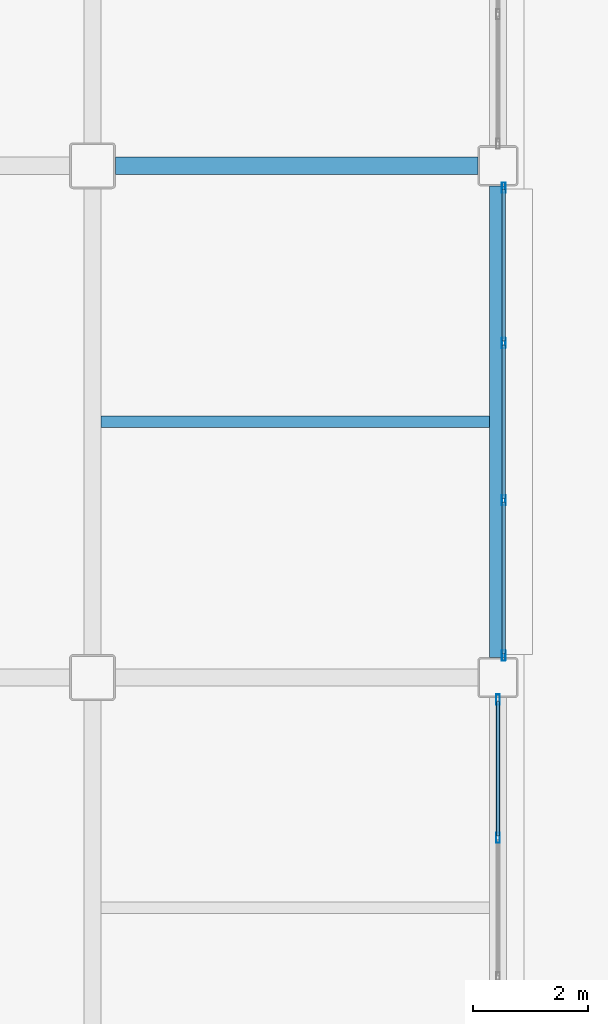
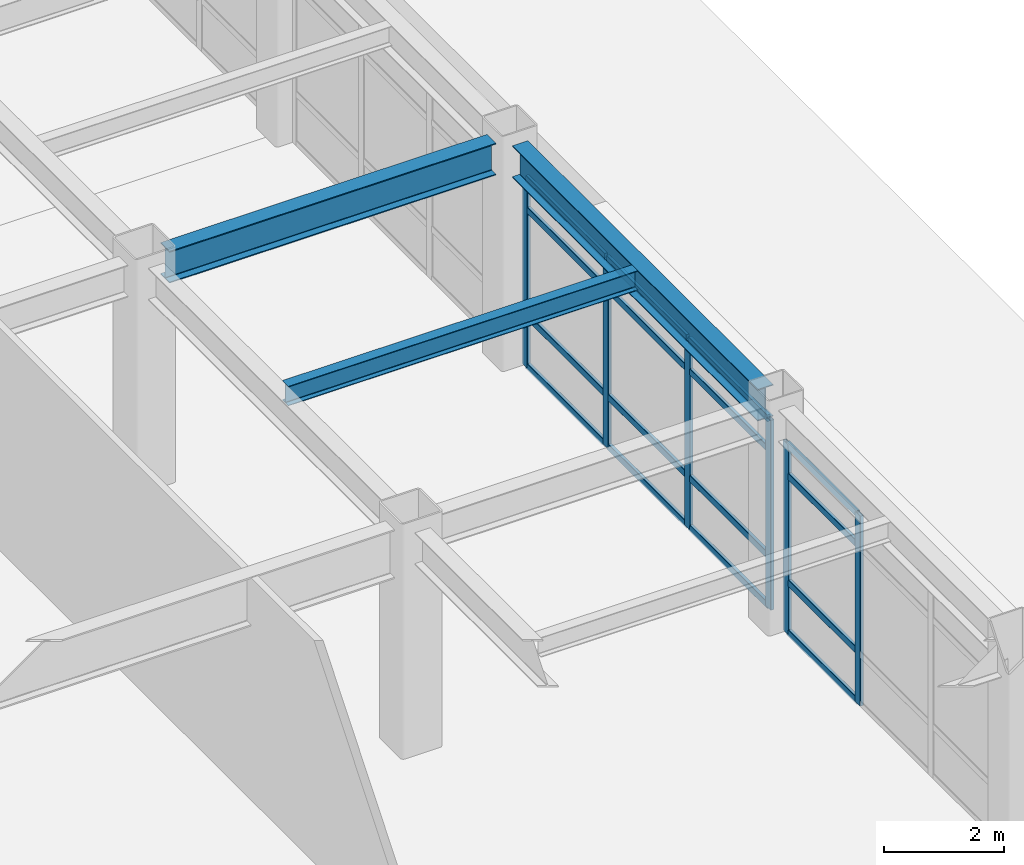
# One storey, part 107 of 172: 22 members, 3 beams, 2 elements without a shape of their own.
"""IFC4 building model written with IfcOpenShell, lengths in metres."""

from ifc_helpers import new_model, si_unit, direction, frame, origin, origin_2d, place, context, subcontext, project, spatial, hollow_rectangle, i_section, extrude, material, layer, layer_set, material_profile, profile_set, type_object, element, aggregate, save


model = new_model("IFC4")

# Units and contexts
model_context = context("Model", 3, precision=1e-05, world=origin(), true_north=direction((0.0, 1.0)))
body_context = subcontext(model_context, "Body", "Model", "MODEL_VIEW")
ifc_project = project(units=[si_unit("LENGTHUNIT", "METRE"), si_unit("AREAUNIT", "SQUARE_METRE"), si_unit("VOLUMEUNIT", "CUBIC_METRE"), si_unit("PLANEANGLEUNIT", "RADIAN"), si_unit("MASSUNIT", "GRAM", prefix="KILO")], contexts=[model_context])

# Site, building, storey
site_placement = place(None, origin())
site = spatial("IfcSite", under=ifc_project, at=site_placement, CompositionType="ELEMENT")
building_placement = place(site_placement, origin())
building = spatial("IfcBuilding", under=site, at=building_placement, Name="Kazehara Bluff Congress Hotel", CompositionType="ELEMENT")
storey_placement = place(building_placement, frame((0.0, 0.0, 5.39990234375)))
storey = spatial("IfcBuildingStorey", under=building, at=storey_placement, Name="L01", CompositionType="ELEMENT", Elevation=5.39990234375)

# Curtain wall, members
ifc_material_1 = material(Name="Anodised aluminium", Category="aluminium")
ifc_layer_1 = layer(ifc_material_1, 0.159912109375)
ifc_layer_set_1 = layer_set([ifc_layer_1], Name="Anodised aluminium")
curtain_wall_type_1 = type_object("IfcCurtainWallType", Name="TP-CW-80", PredefinedType="NOTDEFINED", material=ifc_layer_set_1)
curtain_wall_1_placement = place(storey_placement, origin())
curtain_wall_1 = element("IfcCurtainWall", 1, at=curtain_wall_1_placement, inside=storey, type_object=curtain_wall_type_1, Name="L01 curtain wall CW-80 CW-V5-L01-X16755-2435", PredefinedType="NOTDEFINED")
ifc_material_2 = material(Name="Anodised aluminium", Category="aluminium")
ifc_material_profile_1 = material_profile(ifc_material_2, hollow_rectangle(XDim=0.06494140625, YDim=0.179931640625, WallThickness=0.00390625, InnerFilletRadius=0.00390625, OuterFilletRadius=0.008056640625, at=origin_2d()))
ifc_profile_set_1 = profile_set([ifc_material_profile_1], Name="Anodised aluminium")
member_type_1 = type_object("IfcMemberType", Name="TP-CWM-02", PredefinedType="MULLION", material=ifc_profile_set_1)
member_1_placement = place(storey_placement, frame((167.550048828125, 29.216552734375, 0.0), z_axis=(0.0, 0.0, 1.0), x_axis=(-1.0, 0.0, 0.0)))
member_1 = element("IfcMember", 2, at=member_1_placement, type_object=member_type_1, Name="CW-80 mullion 3", PredefinedType="MULLION", context=body_context, shape_type="SweptSolid", body=[
    extrude(hollow_rectangle(XDim=0.06494140625, YDim=0.179931640625, WallThickness=0.00390625, InnerFilletRadius=0.00390625, OuterFilletRadius=0.008056640625, at=origin_2d()), origin(), (0.0, 0.0, 1.0), 3.875),
])
member_2_placement = place(storey_placement, frame((167.550048828125, 31.617431640625, 0.0), z_axis=(0.0, 0.0, 1.0), x_axis=(-1.0, 0.0, 0.0)))
member_2 = element("IfcMember", 3, at=member_2_placement, type_object=member_type_1, Name="CW-80 mullion 4", PredefinedType="MULLION", context=body_context, shape_type="SweptSolid", body=[
    extrude(hollow_rectangle(XDim=0.06494140625, YDim=0.179931640625, WallThickness=0.00390625, InnerFilletRadius=0.00390625, OuterFilletRadius=0.008056640625, at=origin_2d()), origin(), (0.0, 0.0, 1.0), 3.875),
])

ifc_material_3 = material(Name="Anodised aluminium", Category="aluminium")
ifc_layer_2 = layer(ifc_material_3, 0.159912109375)
ifc_layer_set_2 = layer_set([ifc_layer_2], Name="Anodised aluminium")
curtain_wall_type_2 = type_object("IfcCurtainWallType", Name="TP-CW-114", PredefinedType="NOTDEFINED", material=ifc_layer_set_2)
curtain_wall_2_placement = place(storey_placement, origin())
curtain_wall_2 = element("IfcCurtainWall", 4, at=curtain_wall_2_placement, inside=storey, type_object=curtain_wall_type_2, Name="L01 curtain wall CW-114 CW-ENC-V5-L01-16765-3645", PredefinedType="NOTDEFINED")
member_3_placement = place(storey_placement, frame((167.64990234375, 40.517578125, 0.0), z_axis=(0.0, 0.0, 1.0), x_axis=(1.0, 0.0, 0.0)))
member_3 = element("IfcMember", 5, at=member_3_placement, type_object=member_type_1, Name="CW-114 mullion 1", PredefinedType="MULLION", context=body_context, shape_type="SweptSolid", body=[
    extrude(hollow_rectangle(XDim=0.06494140625, YDim=0.179931640625, WallThickness=0.00390625, InnerFilletRadius=0.00390625, OuterFilletRadius=0.008056640625, at=origin_2d()), origin(), (0.0, 0.0, 1.0), 3.875),
])
member_4_placement = place(storey_placement, frame((167.64990234375, 37.816650390625, 0.0), z_axis=(0.0, 0.0, 1.0), x_axis=(1.0, 0.0, 0.0)))
member_4 = element("IfcMember", 6, at=member_4_placement, type_object=member_type_1, Name="CW-114 mullion 2", PredefinedType="MULLION", context=body_context, shape_type="SweptSolid", body=[
    extrude(hollow_rectangle(XDim=0.06494140625, YDim=0.179931640625, WallThickness=0.00390625, InnerFilletRadius=0.00390625, OuterFilletRadius=0.008056640625, at=origin_2d()), origin(), (0.0, 0.0, 1.0), 3.875),
])
member_5_placement = place(storey_placement, frame((167.64990234375, 35.083251953125, 0.0), z_axis=(0.0, 0.0, 1.0), x_axis=(1.0, 0.0, 0.0)))
member_5 = element("IfcMember", 7, at=member_5_placement, type_object=member_type_1, Name="CW-114 mullion 3", PredefinedType="MULLION", context=body_context, shape_type="SweptSolid", body=[
    extrude(hollow_rectangle(XDim=0.06494140625, YDim=0.179931640625, WallThickness=0.00390625, InnerFilletRadius=0.00390625, OuterFilletRadius=0.008056640625, at=origin_2d()), origin(), (0.0, 0.0, 1.0), 3.875),
])
member_6_placement = place(storey_placement, frame((167.64990234375, 32.382568359375, 0.0), z_axis=(0.0, 0.0, 1.0), x_axis=(1.0, 0.0, 0.0)))
member_6 = element("IfcMember", 8, at=member_6_placement, type_object=member_type_1, Name="CW-114 mullion 4", PredefinedType="MULLION", context=body_context, shape_type="SweptSolid", body=[
    extrude(hollow_rectangle(XDim=0.06494140625, YDim=0.179931640625, WallThickness=0.00390625, InnerFilletRadius=0.00390625, OuterFilletRadius=0.008056640625, at=origin_2d()), origin(), (0.0, 0.0, 1.0), 3.875),
])

# Member
ifc_material_4 = material(Name="Anodised aluminium", Category="aluminium")
ifc_material_profile_2 = material_profile(ifc_material_4, hollow_rectangle(XDim=0.06494140625, YDim=0.139892578125, WallThickness=0.00390625, InnerFilletRadius=0.00390625, OuterFilletRadius=0.008056640625, at=origin_2d()))
ifc_profile_set_2 = profile_set([ifc_material_profile_2], Name="Anodised aluminium")
member_type_2 = type_object("IfcMemberType", Name="TP-CWT-02", PredefinedType="USERDEFINED", material=ifc_profile_set_2)
member_7_placement = place(storey_placement, frame((167.550048828125, 29.249267578125, 0.03271484375), z_axis=(0.0, 1.0, 0.0), x_axis=(-1.0, 0.0, 0.0)))
member_7 = element("IfcMember", 9, at=member_7_placement, type_object=member_type_2, Name="CW-80 transom 3.1", ObjectType="TRANSOM", PredefinedType="USERDEFINED", context=body_context, shape_type="SweptSolid", body=[
    extrude(hollow_rectangle(XDim=0.06494140625, YDim=0.139892578125, WallThickness=0.00390625, InnerFilletRadius=0.00390625, OuterFilletRadius=0.008056640625, at=origin_2d()), origin(), (0.0, 0.0, 1.0), 2.335693359375),
])

member_8_placement = place(storey_placement, frame((167.550048828125, 29.249267578125, 1.050048828125), z_axis=(0.0, 1.0, 0.0), x_axis=(-1.0, 0.0, 0.0)))
member_8 = element("IfcMember", 10, at=member_8_placement, type_object=member_type_2, Name="CW-80 transom 3.2", ObjectType="TRANSOM", PredefinedType="USERDEFINED", context=body_context, shape_type="SweptSolid", body=[
    extrude(hollow_rectangle(XDim=0.06494140625, YDim=0.139892578125, WallThickness=0.00390625, InnerFilletRadius=0.00390625, OuterFilletRadius=0.008056640625, at=origin_2d()), origin(), (0.0, 0.0, 1.0), 2.335693359375),
])

member_9_placement = place(storey_placement, frame((167.550048828125, 29.249267578125, 3.22509765625), z_axis=(0.0, 1.0, 0.0), x_axis=(-1.0, 0.0, 0.0)))
member_9 = element("IfcMember", 11, at=member_9_placement, type_object=member_type_2, Name="CW-80 transom 3.3", ObjectType="TRANSOM", PredefinedType="USERDEFINED", context=body_context, shape_type="SweptSolid", body=[
    extrude(hollow_rectangle(XDim=0.06494140625, YDim=0.139892578125, WallThickness=0.00390625, InnerFilletRadius=0.00390625, OuterFilletRadius=0.008056640625, at=origin_2d()), origin(), (0.0, 0.0, 1.0), 2.335693359375),
])

member_10_placement = place(storey_placement, frame((167.550048828125, 29.249267578125, 3.842529296875), z_axis=(0.0, 1.0, 0.0), x_axis=(-1.0, 0.0, 0.0)))
member_10 = element("IfcMember", 12, at=member_10_placement, type_object=member_type_2, Name="CW-80 transom 3.4", ObjectType="TRANSOM", PredefinedType="USERDEFINED", context=body_context, shape_type="SweptSolid", body=[
    extrude(hollow_rectangle(XDim=0.06494140625, YDim=0.139892578125, WallThickness=0.00390625, InnerFilletRadius=0.00390625, OuterFilletRadius=0.008056640625, at=origin_2d()), origin(), (0.0, 0.0, 1.0), 2.335693359375),
])

aggregate(curtain_wall_1, [member_1, member_2, member_7, member_8, member_9, member_10])

member_11_placement = place(storey_placement, frame((167.64990234375, 40.485107421875, 0.03271484375), z_axis=(0.0, -1.0, 0.0), x_axis=(1.0, 0.0, 0.0)))
member_11 = element("IfcMember", 13, at=member_11_placement, type_object=member_type_2, Name="CW-114 transom 1.1", ObjectType="TRANSOM", PredefinedType="USERDEFINED", context=body_context, shape_type="SweptSolid", body=[
    extrude(hollow_rectangle(XDim=0.06494140625, YDim=0.139892578125, WallThickness=0.00390625, InnerFilletRadius=0.00390625, OuterFilletRadius=0.008056640625, at=origin_2d()), origin(), (0.0, 0.0, 1.0), 2.635986328125),
])

member_12_placement = place(storey_placement, frame((167.64990234375, 40.485107421875, 1.050048828125), z_axis=(0.0, -1.0, 0.0), x_axis=(1.0, 0.0, 0.0)))
member_12 = element("IfcMember", 14, at=member_12_placement, type_object=member_type_2, Name="CW-114 transom 1.2", ObjectType="TRANSOM", PredefinedType="USERDEFINED", context=body_context, shape_type="SweptSolid", body=[
    extrude(hollow_rectangle(XDim=0.06494140625, YDim=0.139892578125, WallThickness=0.00390625, InnerFilletRadius=0.00390625, OuterFilletRadius=0.008056640625, at=origin_2d()), origin(), (0.0, 0.0, 1.0), 2.635986328125),
])

member_13_placement = place(storey_placement, frame((167.64990234375, 40.485107421875, 3.22509765625), z_axis=(0.0, -1.0, 0.0), x_axis=(1.0, 0.0, 0.0)))
member_13 = element("IfcMember", 15, at=member_13_placement, type_object=member_type_2, Name="CW-114 transom 1.3", ObjectType="TRANSOM", PredefinedType="USERDEFINED", context=body_context, shape_type="SweptSolid", body=[
    extrude(hollow_rectangle(XDim=0.06494140625, YDim=0.139892578125, WallThickness=0.00390625, InnerFilletRadius=0.00390625, OuterFilletRadius=0.008056640625, at=origin_2d()), origin(), (0.0, 0.0, 1.0), 2.635986328125),
])

member_14_placement = place(storey_placement, frame((167.64990234375, 40.485107421875, 3.842529296875), z_axis=(0.0, -1.0, 0.0), x_axis=(1.0, 0.0, 0.0)))
member_14 = element("IfcMember", 16, at=member_14_placement, type_object=member_type_2, Name="CW-114 transom 1.4", ObjectType="TRANSOM", PredefinedType="USERDEFINED", context=body_context, shape_type="SweptSolid", body=[
    extrude(hollow_rectangle(XDim=0.06494140625, YDim=0.139892578125, WallThickness=0.00390625, InnerFilletRadius=0.00390625, OuterFilletRadius=0.008056640625, at=origin_2d()), origin(), (0.0, 0.0, 1.0), 2.635986328125),
])

member_15_placement = place(storey_placement, frame((167.64990234375, 37.7841796875, 0.03271484375), z_axis=(0.0, -1.0, 0.0), x_axis=(1.0, 0.0, 0.0)))
member_15 = element("IfcMember", 17, at=member_15_placement, type_object=member_type_2, Name="CW-114 transom 2.1", ObjectType="TRANSOM", PredefinedType="USERDEFINED", context=body_context, shape_type="SweptSolid", body=[
    extrude(hollow_rectangle(XDim=0.06494140625, YDim=0.139892578125, WallThickness=0.00390625, InnerFilletRadius=0.00390625, OuterFilletRadius=0.008056640625, at=origin_2d()), origin(), (0.0, 0.0, 1.0), 2.66845703125),
])

member_16_placement = place(storey_placement, frame((167.64990234375, 37.7841796875, 1.050048828125), z_axis=(0.0, -1.0, 0.0), x_axis=(1.0, 0.0, 0.0)))
member_16 = element("IfcMember", 18, at=member_16_placement, type_object=member_type_2, Name="CW-114 transom 2.2", ObjectType="TRANSOM", PredefinedType="USERDEFINED", context=body_context, shape_type="SweptSolid", body=[
    extrude(hollow_rectangle(XDim=0.06494140625, YDim=0.139892578125, WallThickness=0.00390625, InnerFilletRadius=0.00390625, OuterFilletRadius=0.008056640625, at=origin_2d()), origin(), (0.0, 0.0, 1.0), 2.66845703125),
])

member_17_placement = place(storey_placement, frame((167.64990234375, 37.7841796875, 3.22509765625), z_axis=(0.0, -1.0, 0.0), x_axis=(1.0, 0.0, 0.0)))
member_17 = element("IfcMember", 19, at=member_17_placement, type_object=member_type_2, Name="CW-114 transom 2.3", ObjectType="TRANSOM", PredefinedType="USERDEFINED", context=body_context, shape_type="SweptSolid", body=[
    extrude(hollow_rectangle(XDim=0.06494140625, YDim=0.139892578125, WallThickness=0.00390625, InnerFilletRadius=0.00390625, OuterFilletRadius=0.008056640625, at=origin_2d()), origin(), (0.0, 0.0, 1.0), 2.66845703125),
])

member_18_placement = place(storey_placement, frame((167.64990234375, 37.7841796875, 3.842529296875), z_axis=(0.0, -1.0, 0.0), x_axis=(1.0, 0.0, 0.0)))
member_18 = element("IfcMember", 20, at=member_18_placement, type_object=member_type_2, Name="CW-114 transom 2.4", ObjectType="TRANSOM", PredefinedType="USERDEFINED", context=body_context, shape_type="SweptSolid", body=[
    extrude(hollow_rectangle(XDim=0.06494140625, YDim=0.139892578125, WallThickness=0.00390625, InnerFilletRadius=0.00390625, OuterFilletRadius=0.008056640625, at=origin_2d()), origin(), (0.0, 0.0, 1.0), 2.66845703125),
])

member_19_placement = place(storey_placement, frame((167.64990234375, 35.05078125, 0.03271484375), z_axis=(0.0, -1.0, 0.0), x_axis=(1.0, 0.0, 0.0)))
member_19 = element("IfcMember", 21, at=member_19_placement, type_object=member_type_2, Name="CW-114 transom 3.1", ObjectType="TRANSOM", PredefinedType="USERDEFINED", context=body_context, shape_type="SweptSolid", body=[
    extrude(hollow_rectangle(XDim=0.06494140625, YDim=0.139892578125, WallThickness=0.00390625, InnerFilletRadius=0.00390625, OuterFilletRadius=0.008056640625, at=origin_2d()), origin(), (0.0, 0.0, 1.0), 2.6357421875),
])

member_20_placement = place(storey_placement, frame((167.64990234375, 35.05078125, 1.050048828125), z_axis=(0.0, -1.0, 0.0), x_axis=(1.0, 0.0, 0.0)))
member_20 = element("IfcMember", 22, at=member_20_placement, type_object=member_type_2, Name="CW-114 transom 3.2", ObjectType="TRANSOM", PredefinedType="USERDEFINED", context=body_context, shape_type="SweptSolid", body=[
    extrude(hollow_rectangle(XDim=0.06494140625, YDim=0.139892578125, WallThickness=0.00390625, InnerFilletRadius=0.00390625, OuterFilletRadius=0.008056640625, at=origin_2d()), origin(), (0.0, 0.0, 1.0), 2.6357421875),
])

member_21_placement = place(storey_placement, frame((167.64990234375, 35.05078125, 3.22509765625), z_axis=(0.0, -1.0, 0.0), x_axis=(1.0, 0.0, 0.0)))
member_21 = element("IfcMember", 23, at=member_21_placement, type_object=member_type_2, Name="CW-114 transom 3.3", ObjectType="TRANSOM", PredefinedType="USERDEFINED", context=body_context, shape_type="SweptSolid", body=[
    extrude(hollow_rectangle(XDim=0.06494140625, YDim=0.139892578125, WallThickness=0.00390625, InnerFilletRadius=0.00390625, OuterFilletRadius=0.008056640625, at=origin_2d()), origin(), (0.0, 0.0, 1.0), 2.6357421875),
])

member_22_placement = place(storey_placement, frame((167.64990234375, 35.05078125, 3.842529296875), z_axis=(0.0, -1.0, 0.0), x_axis=(1.0, 0.0, 0.0)))
member_22 = element("IfcMember", 24, at=member_22_placement, type_object=member_type_2, Name="CW-114 transom 3.4", ObjectType="TRANSOM", PredefinedType="USERDEFINED", context=body_context, shape_type="SweptSolid", body=[
    extrude(hollow_rectangle(XDim=0.06494140625, YDim=0.139892578125, WallThickness=0.00390625, InnerFilletRadius=0.00390625, OuterFilletRadius=0.008056640625, at=origin_2d()), origin(), (0.0, 0.0, 1.0), 2.6357421875),
])

aggregate(curtain_wall_2, [member_3, member_4, member_5, member_6, member_11, member_12, member_13, member_14, member_15, member_16, member_17, member_18, member_19, member_20, member_21, member_22])

# Beams
ifc_material_5 = material(Name="Steel SN490B", Category="steel")
ifc_material_profile_3 = material_profile(ifc_material_5, i_section(OverallWidth=0.300048828125, OverallDepth=0.64990234375, WebThickness=0.011962890625, FlangeThickness=0.02001953125, FilletRadius=0.012939453125, at=origin_2d()))
ifc_profile_set_3 = profile_set([ifc_material_profile_3], Name="Steel SN490B")
beam_type_1 = type_object("IfcBeamType", Name="TP-G-03", PredefinedType="BEAM", material=ifc_profile_set_3)
beam_1_placement = place(storey_placement, frame((167.550048828125, 32.35009765625, 4.22509765625), z_axis=(0.0, 1.0, 0.0), x_axis=(-1.0, 0.0, 0.0)))
element("IfcBeam", 25, at=beam_1_placement, inside=storey, type_object=beam_type_1, Name="L01 girder G-03 263", PredefinedType="BEAM", context=body_context, shape_type="SweptSolid", body=[
    extrude(i_section(OverallWidth=0.300048828125, OverallDepth=0.64990234375, WebThickness=0.011962890625, FlangeThickness=0.02001953125, FilletRadius=0.012939453125, at=origin_2d()), origin(), (0.0, 0.0, 1.0), 8.199951171875),
])
beam_2_placement = place(storey_placement, frame((160.89990234375, 40.89990234375, 4.22509765625), z_axis=(1.0, 0.0, 0.0), x_axis=(0.0, 1.0, 0.0)))
element("IfcBeam", 26, at=beam_2_placement, inside=storey, type_object=beam_type_1, Name="L01 girder G-03 298", PredefinedType="BEAM", context=body_context, shape_type="SweptSolid", body=[
    extrude(i_section(OverallWidth=0.300048828125, OverallDepth=0.64990234375, WebThickness=0.011962890625, FlangeThickness=0.02001953125, FilletRadius=0.012939453125, at=origin_2d()), origin(), (0.0, 0.0, 1.0), 6.300048828125),
])
ifc_material_6 = material(Name="Steel SN400B", Category="steel")
ifc_material_profile_4 = material_profile(ifc_material_6, i_section(OverallWidth=0.199951171875, OverallDepth=0.39990234375, WebThickness=0.008056640625, FlangeThickness=0.012939453125, FilletRadius=0.012939453125, at=origin_2d()))
ifc_profile_set_4 = profile_set([ifc_material_profile_4], Name="Steel SN400B")
beam_type_2 = type_object("IfcBeamType", Name="TP-J-03", PredefinedType="JOIST", material=ifc_profile_set_4)
beam_3_placement = place(storey_placement, frame((160.64990234375, 36.449951171875, 4.35009765625), z_axis=(1.0, 0.0, 0.0), x_axis=(0.0, 1.0, 0.0)))
element("IfcBeam", 27, at=beam_3_placement, inside=storey, type_object=beam_type_2, Name="L01 secondary joist J-03 74", PredefinedType="JOIST", context=body_context, shape_type="SweptSolid", body=[
    extrude(i_section(OverallWidth=0.199951171875, OverallDepth=0.39990234375, WebThickness=0.008056640625, FlangeThickness=0.012939453125, FilletRadius=0.012939453125, at=origin_2d()), origin(), (0.0, 0.0, 1.0), 6.75),
])

save(model, "model.ifc")
